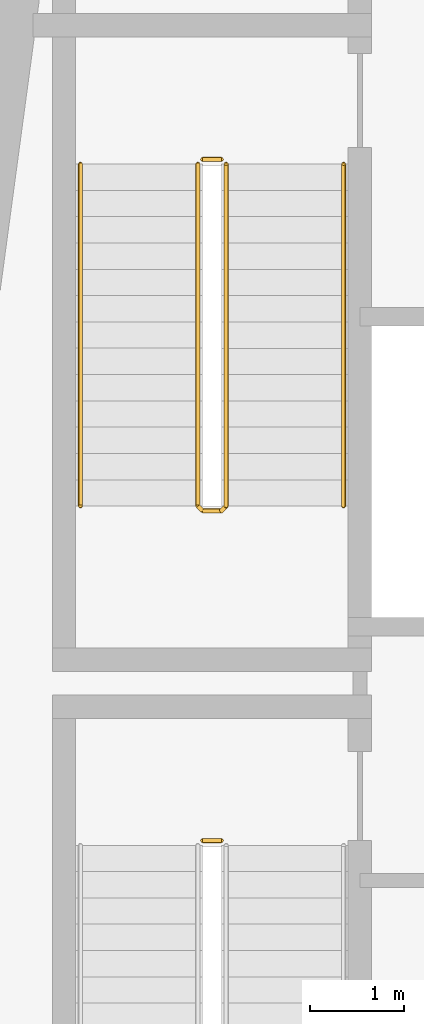
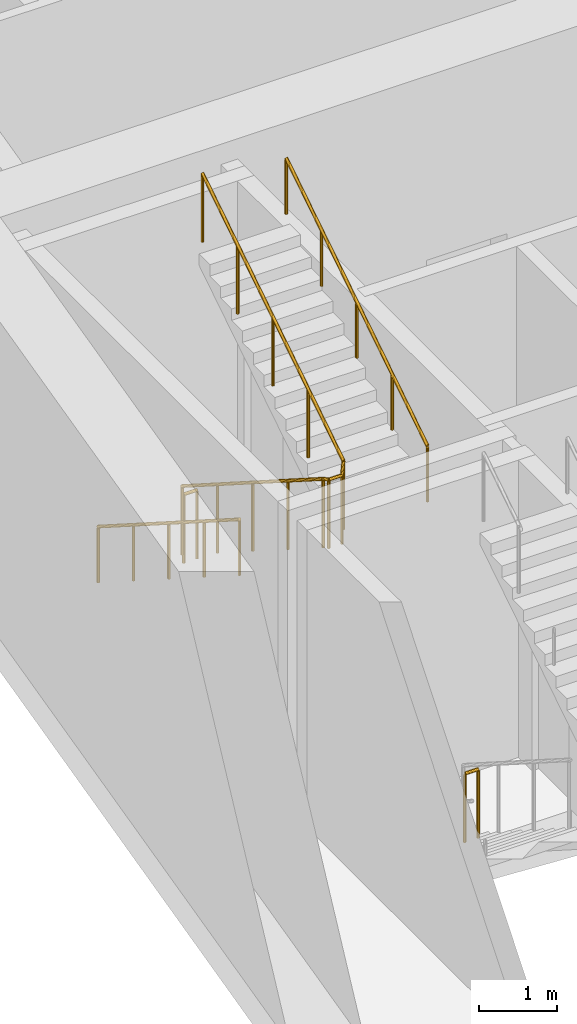
# One storey, part 10 of 12: 5 railings.
"""IFC4 building model written with IfcOpenShell, lengths in metres."""

from ifc_helpers import new_model, si_unit, direction, frame, origin, origin_2d, place, context, subcontext, project, spatial, circle, extrude, material, type_object, element, save


model = new_model("IFC4")

# Units and contexts
model_context = context("Model", 3, precision=1e-05, world=origin(), true_north=direction((0.0, 1.0)))
body_context = subcontext(model_context, "Body", "Model", "MODEL_VIEW")
ifc_project = project(units=[si_unit("LENGTHUNIT", "METRE"), si_unit("AREAUNIT", "SQUARE_METRE"), si_unit("VOLUMEUNIT", "CUBIC_METRE"), si_unit("PLANEANGLEUNIT", "RADIAN"), si_unit("MASSUNIT", "GRAM", prefix="KILO")], contexts=[model_context])

# Site, building, storey
site_placement = place(None, origin())
site = spatial("IfcSite", under=ifc_project, at=site_placement, CompositionType="ELEMENT")
building_placement = place(site_placement, origin())
building = spatial("IfcBuilding", under=site, at=building_placement, Name="Candeia Pilgrim Tower and Theatre", CompositionType="ELEMENT")
storey_placement = place(building_placement, frame((0.0, 0.0, 197.199951171875)))
storey = spatial("IfcBuildingStorey", under=building, at=storey_placement, Name="L47", CompositionType="ELEMENT", Elevation=197.199951171875)

# Railings
ifc_material_1 = material(Name="Stainless steel balustrade", Category="steel")
railing_type_1 = type_object("IfcRailingType", Name="RL-GUARD-1100", PredefinedType="GUARDRAIL", material=ifc_material_1)
railing_1_placement = place(storey_placement, frame((91.152099609375, 122.52490234375, 0.0)))
element("IfcRailing", 1, at=railing_1_placement, inside=storey, type_object=railing_type_1, Name="L47 ST1 stair guard 2", PredefinedType="GUARDRAIL", context=body_context, shape_type="SweptSolid", body=[
    extrude(circle(Radius=0.02392578125, at=origin_2d()), frame((0.0, 0.0, 1.076171875), z_axis=(1.0, 0.0, 0.0), x_axis=(0.0, 1.0, 0.0)), (0.0, 0.0, 1.0), 0.199951171875),
    extrude(circle(Radius=0.02099609375, at=origin_2d()), origin(), (0.0, 0.0, 1.0), 1.052001953125),
    extrude(circle(Radius=0.02099609375, at=origin_2d()), frame((0.199951171875, 0.0, 0.0)), (0.0, 0.0, 1.0), 1.052001953125),
])
railing_2_placement = place(storey_placement, frame((91.10205078125, 129.72509765625, 0.1787109375)))
element("IfcRailing", 2, at=railing_2_placement, inside=storey, type_object=railing_type_1, Name="L47 ST2 stair guard 1", PredefinedType="GUARDRAIL", context=body_context, shape_type="SweptSolid", body=[
    extrude(circle(Radius=0.02392578125, at=origin_2d()), frame((0.0, 0.0, 1.076171875), z_axis=(0.0, -0.843153495434, 0.537672933239), x_axis=(1.0, 0.0, 0.0)), (0.0, 0.0, 1.0), 4.3173828125),
    extrude(circle(Radius=0.02392578125, at=origin_2d()), frame((0.0, -3.64013671875, 3.3974609375), z_axis=(0.707106781187, -0.707106781187, 0.0), x_axis=(0.707106781187, 0.707106781187, 0.0)), (0.0, 0.0, 1.0), 0.07080078125),
    extrude(circle(Radius=0.02392578125, at=origin_2d()), frame((0.050048828125, -3.690185546875, 3.3974609375), z_axis=(1.0, 0.0, 0.0), x_axis=(0.0, 1.0, 0.0)), (0.0, 0.0, 1.0), 0.199951171875),
    extrude(circle(Radius=0.02392578125, at=origin_2d()), frame((0.25, -3.690185546875, 3.3974609375), z_axis=(0.260376719329, 0.260376719329, 0.929735407556), x_axis=(-0.707106781187, 0.707106781187, 0.0)), (0.0, 0.0, 1.0), 0.192138671875),
    extrude(circle(Radius=0.02392578125, at=origin_2d()), frame((0.300048828125, -3.64013671875, 3.576171875), z_axis=(0.0, 0.843153495434, 0.537672933239), x_axis=(-1.0, 0.0, 0.0)), (0.0, 0.0, 1.0), 4.3173828125),
    extrude(circle(Radius=0.02099609375, at=origin_2d()), origin(), (0.0, 0.0, 1.0), 1.052001953125),
    extrude(circle(Radius=0.02099609375, at=origin_2d()), frame((0.0, -0.91015625, 0.580322265625)), (0.0, 0.0, 1.0), 1.052001953125),
    extrude(circle(Radius=0.02099609375, at=origin_2d()), frame((0.0, -1.820068359375, 1.16064453125)), (0.0, 0.0, 1.0), 1.052001953125),
    extrude(circle(Radius=0.02099609375, at=origin_2d()), frame((0.0, -2.72998046875, 1.740966796875)), (0.0, 0.0, 1.0), 1.052001953125),
    extrude(circle(Radius=0.02099609375, at=origin_2d()), frame((0.0, -3.64013671875, 2.3212890625)), (0.0, 0.0, 1.0), 1.052001953125),
    extrude(circle(Radius=0.02099609375, at=origin_2d()), frame((0.050048828125, -3.690185546875, 2.3212890625)), (0.0, 0.0, 1.0), 1.052001953125),
    extrude(circle(Radius=0.02099609375, at=origin_2d()), frame((0.25, -3.690185546875, 2.3212890625)), (0.0, 0.0, 1.0), 1.052001953125),
    extrude(circle(Radius=0.02099609375, at=origin_2d()), frame((0.300048828125, -3.64013671875, 2.5)), (0.0, 0.0, 1.0), 1.052001953125),
    extrude(circle(Radius=0.02099609375, at=origin_2d()), frame((0.300048828125, -2.72998046875, 3.080322265625)), (0.0, 0.0, 1.0), 1.052001953125),
    extrude(circle(Radius=0.02099609375, at=origin_2d()), frame((0.300048828125, -1.820068359375, 3.66064453125)), (0.0, 0.0, 1.0), 1.052001953125),
    extrude(circle(Radius=0.02099609375, at=origin_2d()), frame((0.300048828125, -0.91015625, 4.240966796875)), (0.0, 0.0, 1.0), 1.052001953125),
    extrude(circle(Radius=0.02099609375, at=origin_2d()), frame((0.300048828125, 0.0, 4.8212890625)), (0.0, 0.0, 1.0), 1.052001953125),
])
railing_3_placement = place(storey_placement, frame((91.152099609375, 129.77490234375, 0.0)))
element("IfcRailing", 3, at=railing_3_placement, inside=storey, type_object=railing_type_1, Name="L47 ST2 stair guard 2", PredefinedType="GUARDRAIL", context=body_context, shape_type="SweptSolid", body=[
    extrude(circle(Radius=0.02392578125, at=origin_2d()), frame((0.0, 0.0, 1.076171875), z_axis=(1.0, 0.0, 0.0), x_axis=(0.0, 1.0, 0.0)), (0.0, 0.0, 1.0), 0.199951171875),
    extrude(circle(Radius=0.02099609375, at=origin_2d()), origin(), (0.0, 0.0, 1.0), 1.052001953125),
    extrude(circle(Radius=0.02099609375, at=origin_2d()), frame((0.199951171875, 0.0, 0.0)), (0.0, 0.0, 1.0), 1.052001953125),
])
ifc_material_2 = material(Name="Stainless steel handrail", Category="steel")
railing_type_2 = type_object("IfcRailingType", Name="RL-HANDRAIL-900", PredefinedType="HANDRAIL", material=ifc_material_2)
railing_4_placement = place(storey_placement, frame((89.85205078125, 129.72509765625, 0.1787109375)))
element("IfcRailing", 4, at=railing_4_placement, inside=storey, type_object=railing_type_2, Name="L47 ST2 stair handrail 1", PredefinedType="HANDRAIL", context=body_context, shape_type="SweptSolid", body=[
    extrude(circle(Radius=0.02392578125, at=origin_2d()), frame((0.0, 0.0, 0.8759765625), z_axis=(0.0, -0.843153495434, 0.537672933239), x_axis=(1.0, 0.0, 0.0)), (0.0, 0.0, 1.0), 4.3173828125),
    extrude(circle(Radius=0.02099609375, at=origin_2d()), origin(), (0.0, 0.0, 1.0), 0.851806640625),
    extrude(circle(Radius=0.02099609375, at=origin_2d()), frame((0.0, -0.91015625, 0.580322265625)), (0.0, 0.0, 1.0), 0.851806640625),
    extrude(circle(Radius=0.02099609375, at=origin_2d()), frame((0.0, -1.820068359375, 1.16064453125)), (0.0, 0.0, 1.0), 0.851806640625),
    extrude(circle(Radius=0.02099609375, at=origin_2d()), frame((0.0, -2.72998046875, 1.740966796875)), (0.0, 0.0, 1.0), 0.851806640625),
    extrude(circle(Radius=0.02099609375, at=origin_2d()), frame((0.0, -3.64013671875, 2.3212890625)), (0.0, 0.0, 1.0), 0.851806640625),
])
railing_5_placement = place(storey_placement, frame((92.652099609375, 126.0849609375, 2.6787109375)))
element("IfcRailing", 5, at=railing_5_placement, inside=storey, type_object=railing_type_2, Name="L47 ST2 stair handrail 2", PredefinedType="HANDRAIL", context=body_context, shape_type="SweptSolid", body=[
    extrude(circle(Radius=0.02392578125, at=origin_2d()), frame((0.0, 0.0, 0.8759765625), z_axis=(0.0, 0.843153495434, 0.537672933239), x_axis=(-1.0, 0.0, 0.0)), (0.0, 0.0, 1.0), 4.3173828125),
    extrude(circle(Radius=0.02099609375, at=origin_2d()), origin(), (0.0, 0.0, 1.0), 0.851806640625),
    extrude(circle(Radius=0.02099609375, at=origin_2d()), frame((0.0, 0.91015625, 0.580322265625)), (0.0, 0.0, 1.0), 0.851806640625),
    extrude(circle(Radius=0.02099609375, at=origin_2d()), frame((0.0, 1.820068359375, 1.16064453125)), (0.0, 0.0, 1.0), 0.851806640625),
    extrude(circle(Radius=0.02099609375, at=origin_2d()), frame((0.0, 2.72998046875, 1.740966796875)), (0.0, 0.0, 1.0), 0.851806640625),
    extrude(circle(Radius=0.02099609375, at=origin_2d()), frame((0.0, 3.64013671875, 2.3212890625)), (0.0, 0.0, 1.0), 0.851806640625),
])

save(model, "model.ifc")
